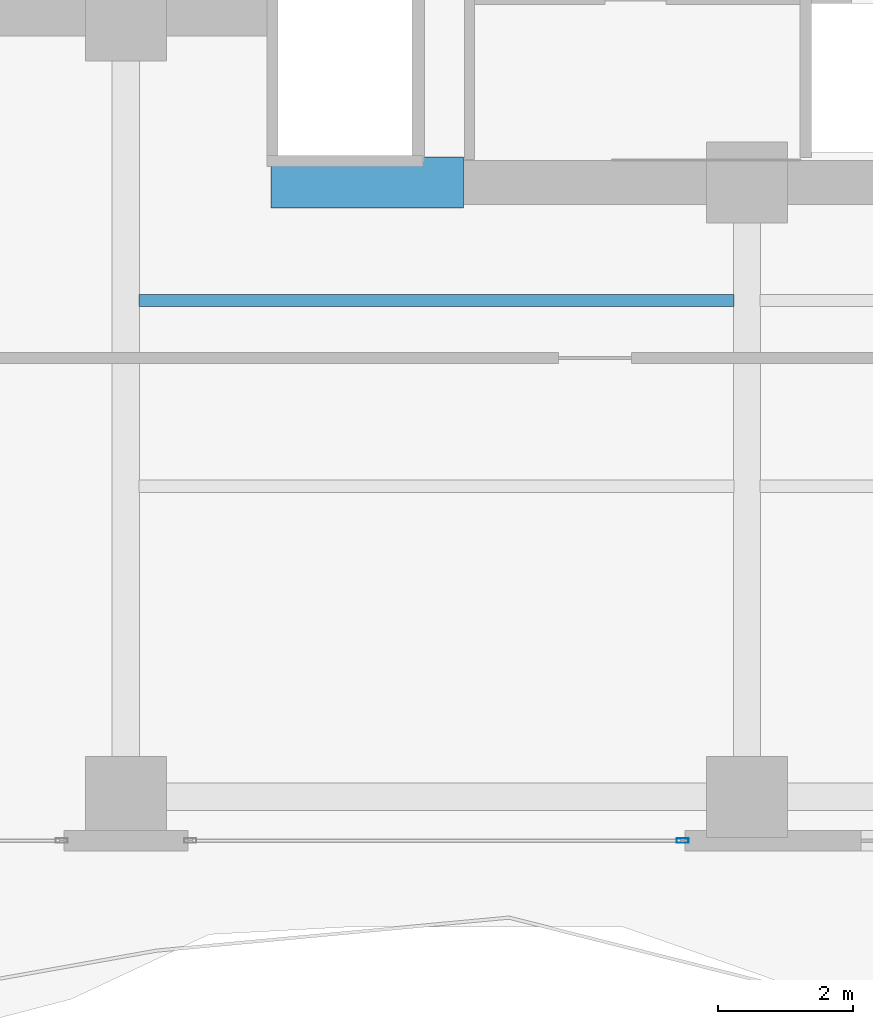
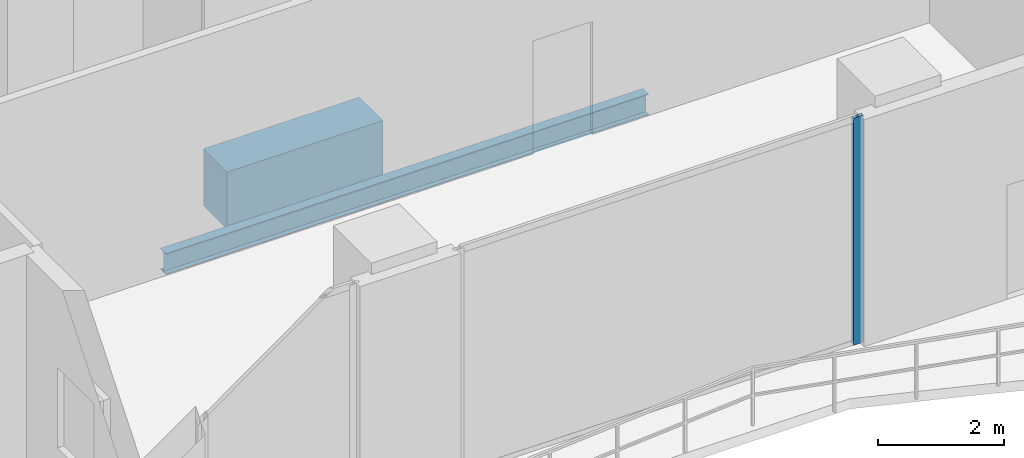
# One storey, part 5 of 33: 2 beams, 1 member, 1 element without a shape of its own.
"""IFC4 building model written with IfcOpenShell, lengths in metres."""

from ifc_helpers import new_model, si_unit, direction, frame, origin, origin_2d, place, context, subcontext, project, spatial, rectangle, hollow_rectangle, i_section, extrude, material, layer, layer_set, material_profile, profile_set, type_object, element, aggregate, save


model = new_model("IFC4")

# Units and contexts
model_context = context("Model", 3, precision=1e-05, world=origin(), true_north=direction((0.0, 1.0)))
body_context = subcontext(model_context, "Body", "Model", "MODEL_VIEW")
ifc_project = project(units=[si_unit("LENGTHUNIT", "METRE"), si_unit("AREAUNIT", "SQUARE_METRE"), si_unit("VOLUMEUNIT", "CUBIC_METRE"), si_unit("PLANEANGLEUNIT", "RADIAN"), si_unit("MASSUNIT", "GRAM", prefix="KILO")], contexts=[model_context])

# Site, building, storey
site_placement = place(None, origin())
site = spatial("IfcSite", under=ifc_project, at=site_placement, CompositionType="ELEMENT")
building_placement = place(site_placement, origin())
building = spatial("IfcBuilding", under=site, at=building_placement, Name="Zuhayl Quay Hotel", CompositionType="ELEMENT")
storey_placement = place(building_placement, frame((0.0, 0.0, 168.199951171875)))
storey = spatial("IfcBuildingStorey", under=building, at=storey_placement, Name="L42", CompositionType="ELEMENT", Elevation=168.199951171875)

# Beams
ifc_material_1 = material(Name="Concrete C60/75", Category="concrete")
ifc_material_profile_1 = material_profile(ifc_material_1, rectangle(XDim=0.75, YDim=1.10009765625, at=origin_2d()), Name="RC750X1100")
ifc_profile_set_1 = profile_set([ifc_material_profile_1], Name="Concrete C60/75")
beam_type_1 = type_object("IfcBeamType", Name="BM_CB2_RC750", PredefinedType="T_BEAM", material=ifc_profile_set_1)
beam_1_placement = place(storey_placement, frame((-11.64990234375, 2.14990234375, -0.81005859375), z_axis=(1.0, 0.0, 0.0), x_axis=(0.0, 1.0, 0.0)))
element("IfcBeam", 1, at=beam_1_placement, inside=storey, type_object=beam_type_1, Name="L42 Core Coupling Beam SW", PredefinedType="T_BEAM", context=body_context, shape_type="SweptSolid", body=[
    extrude(rectangle(XDim=0.75, YDim=1.10009765625, at=origin_2d()), origin(), (0.0, 0.0, 1.0), 2.849853515625),
])
ifc_material_2 = material(Name="Steel ASTM A992 Grade 50", Category="steel")
ifc_material_profile_2 = material_profile(ifc_material_2, i_section(OverallWidth=0.177978515625, OverallDepth=0.406005859375, WebThickness=0.0078125, FlangeThickness=0.0126953125, at=origin_2d()), Name="W16X40")
ifc_profile_set_2 = profile_set([ifc_material_profile_2], Name="Steel ASTM A992 Grade 50")
beam_type_2 = type_object("IfcBeamType", Name="BM_J2B_W16X40", PredefinedType="JOIST", material=ifc_profile_set_2)
beam_2_placement = place(storey_placement, frame((-13.60595703125, 0.39990234375, -0.462890625), z_axis=(1.0, 0.0, 0.0), x_axis=(0.0, 1.0, 0.0)))
element("IfcBeam", 2, at=beam_2_placement, inside=storey, type_object=beam_type_2, Name="L42 Floor Beam FJ_L42_8_1", PredefinedType="JOIST", context=body_context, shape_type="SweptSolid", body=[
    extrude(i_section(OverallWidth=0.177978515625, OverallDepth=0.406005859375, WebThickness=0.0078125, FlangeThickness=0.0126953125, at=origin_2d()), origin(), (0.0, 0.0, 1.0), 8.81201171875),
])

# Curtain wall, member
ifc_material_3 = material(Name="Anodised Aluminium 6063-T6", Category="aluminium")
ifc_layer = layer(ifc_material_3, 0.175048828125, Name="Anodised Aluminium 6063-T6", Category="aluminium")
ifc_layer_set = layer_set([ifc_layer], Name="Anodised Aluminium 6063-T6")
curtain_wall_type = type_object("IfcCurtainWallType", Name="CW_SYS_Z3", PredefinedType="USERDEFINED", material=ifc_layer_set)
curtain_wall_placement = place(storey_placement, origin())
curtain_wall = element("IfcCurtainWall", 3, at=curtain_wall_placement, inside=storey, type_object=curtain_wall_type, Name="L42 Curtain Wall ENV_L42_S_CW4", ObjectType="UNITISED CURTAIN WALL", PredefinedType="USERDEFINED")
ifc_material_4 = material(Name="Black-anodised aluminium 6063-T6", Category="aluminium")
ifc_material_profile_3 = material_profile(ifc_material_4, hollow_rectangle(XDim=0.06494140625, YDim=0.179931640625, WallThickness=0.00341796875, at=origin_2d()), Name="ALU180X65")
ifc_profile_set_3 = profile_set([ifc_material_profile_3], Name="Black-anodised aluminium 6063-T6")
member_type = type_object("IfcMemberType", Name="MB_CW_MUL_180", PredefinedType="MULLION", material=ifc_profile_set_3)
member_placement = place(storey_placement, frame((-5.552490234375, -7.60009765625, 0.0), z_axis=(0.0, 0.0, 1.0), x_axis=(0.0, -1.0, 0.0)))
member = element("IfcMember", 4, at=member_placement, type_object=member_type, Name="CW-Z3 mullion 1", PredefinedType="MULLION", context=body_context, shape_type="SweptSolid", body=[
    extrude(hollow_rectangle(XDim=0.06494140625, YDim=0.179931640625, WallThickness=0.00341796875, at=origin_2d()), origin(), (0.0, 0.0, 1.0), 4.380126953125),
])
aggregate(curtain_wall, [member])

save(model, "model.ifc")
